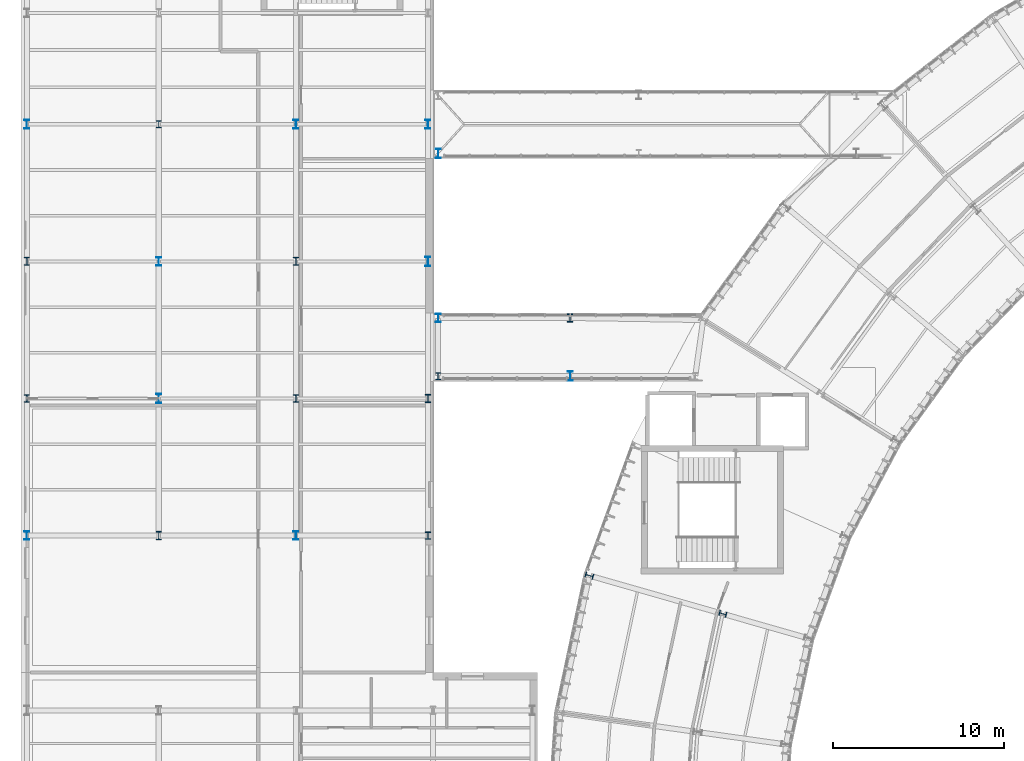
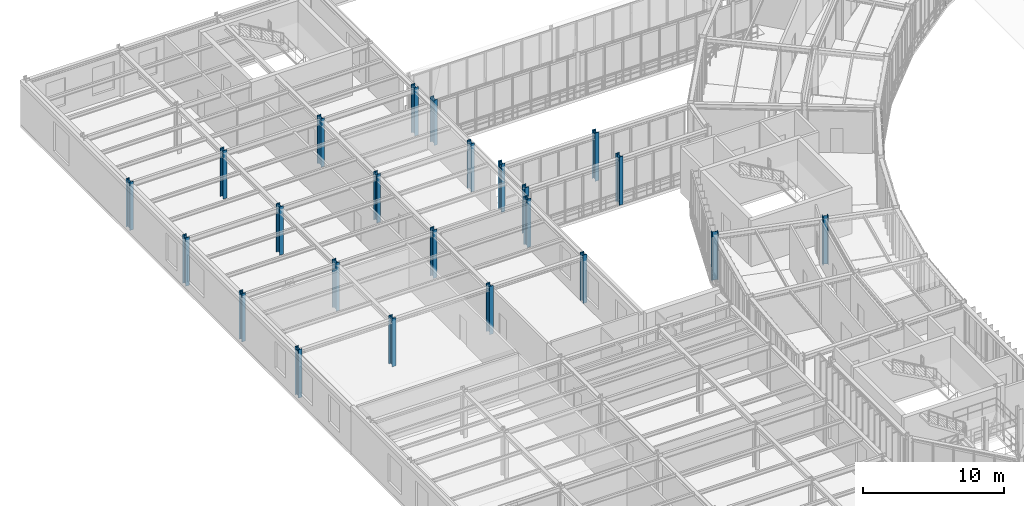
# One storey, part 2 of 57: 23 columns.
"""IFC4 building model written with IfcOpenShell, lengths in metres."""

from ifc_helpers import new_model, si_unit, direction, frame, origin, origin_2d, place, context, subcontext, project, spatial, i_section, extrude, material, material_profile, profile_set, type_object, element, save


model = new_model("IFC4")

# Units and contexts
model_context = context("Model", 3, precision=1e-05, world=origin(), true_north=direction((0.0, 1.0)))
body_context = subcontext(model_context, "Body", "Model", "MODEL_VIEW")
ifc_project = project(units=[si_unit("LENGTHUNIT", "METRE"), si_unit("AREAUNIT", "SQUARE_METRE"), si_unit("VOLUMEUNIT", "CUBIC_METRE"), si_unit("PLANEANGLEUNIT", "RADIAN"), si_unit("MASSUNIT", "GRAM", prefix="KILO"), si_unit("THERMODYNAMICTEMPERATUREUNIT", "KELVIN"), si_unit("POWERUNIT", "WATT")], contexts=[model_context])

# Site, building, storey
site_placement = place(None, origin())
site = spatial("IfcSite", under=ifc_project, at=site_placement, CompositionType="ELEMENT")
building_placement = place(site_placement, origin())
building = spatial("IfcBuilding", under=site, at=building_placement, Name="Solvatero Civic Police Headquarters", CompositionType="ELEMENT")
storey_placement = place(building_placement, frame((0.0, 0.0, 9.300048828125)))
storey = spatial("IfcBuildingStorey", under=building, at=storey_placement, Name="L02", CompositionType="ELEMENT", Elevation=9.300048828125)

# Columns
ifc_material = material(Name="Steel S355", Category="steel")
ifc_material_profile_1 = material_profile(ifc_material, i_section(OverallWidth=0.300048828125, OverallDepth=0.5, WebThickness=0.014404296875, FlangeThickness=0.028076171875, FilletRadius=0.027099609375, at=origin_2d()), Name="HEB 500")
ifc_profile_set_1 = profile_set([ifc_material_profile_1], Name="Steel S355")
column_type_1 = type_object("IfcColumnType", Name="COL-ST-HEB500", PredefinedType="COLUMN", material=ifc_profile_set_1)
for number, where, z_axis, x_axis, name in (
    (1, (28.800048828125, 57.199951171875, 0.0), (0.0, 0.0, 1.0), (1.0, 0.0, 0.0), "Column SB1-W-N L02"),
    (2, (4.800048828125, 44.5, 0.0), (0.0, 0.0, 1.0), (1.0, 0.0, 0.0), "Column V6-X1Y1 L02"),
    (3, (12.5, 60.5, 0.0), (0.0, 0.0, 1.0), (1.0, 0.0, 0.0), "Column V6-X2Y3 L02"),
    (4, (20.5, 44.5, 0.0), (0.0, 0.0, 1.0), (1.0, 0.0, 0.0), "Column V6-X3Y1 L02"),
    (5, (28.199951171875, 68.5, 0.0), (0.0, 0.0, 1.0), (1.0, 0.0, 0.0), "Column V6-X4Y4 L02"),
):
    element("IfcColumn", number, at=place(storey_placement, frame(where, z_axis=z_axis, x_axis=x_axis)), inside=storey, type_object=column_type_1, Name=name, PredefinedType="COLUMN", context=body_context, shape_type="SweptSolid", body=[
        extrude(i_section(OverallWidth=0.300048828125, OverallDepth=0.5, WebThickness=0.014404296875, FlangeThickness=0.028076171875, FilletRadius=0.027099609375, at=origin_2d()), origin(), (0.0, 0.0, 1.0), 4.199951171875),
    ])
ifc_material_profile_2 = material_profile(ifc_material, i_section(OverallWidth=0.300048828125, OverallDepth=0.550048828125, WebThickness=0.014892578125, FlangeThickness=0.029052734375, FilletRadius=0.027099609375, at=origin_2d()), Name="HEB 550")
ifc_profile_set_2 = profile_set([ifc_material_profile_2], Name="Steel S355")
column_type_2 = type_object("IfcColumnType", Name="COL-ST-HEB550", PredefinedType="COLUMN", material=ifc_profile_set_2)
column_1_placement = place(storey_placement, frame((36.5, 53.800048828125, 0.0), z_axis=(0.0, 0.0, 1.0), x_axis=(1.0, 0.0, 0.0)))
element("IfcColumn", 6, at=column_1_placement, inside=storey, type_object=column_type_2, Name="Column SB1-MID-S L02", PredefinedType="COLUMN", context=body_context, shape_type="SweptSolid", body=[
    extrude(i_section(OverallWidth=0.300048828125, OverallDepth=0.550048828125, WebThickness=0.014892578125, FlangeThickness=0.029052734375, FilletRadius=0.027099609375, at=origin_2d()), origin(), (0.0, 0.0, 1.0), 4.199951171875),
])
column_2_placement = place(storey_placement, frame((28.800048828125, 66.800048828125, 0.0), z_axis=(0.0, 0.0, 1.0), x_axis=(1.0, 0.0, 0.0)))
element("IfcColumn", 7, at=column_2_placement, inside=storey, type_object=column_type_2, Name="Column SB2-W-S L02", PredefinedType="COLUMN", context=body_context, shape_type="SweptSolid", body=[
    extrude(i_section(OverallWidth=0.300048828125, OverallDepth=0.550048828125, WebThickness=0.014892578125, FlangeThickness=0.029052734375, FilletRadius=0.027099609375, at=origin_2d()), origin(), (0.0, 0.0, 1.0), 3.93994140625),
])
for number, where, z_axis, x_axis, name in (
    (8, (4.800048828125, 68.5, 0.0), (0.0, 0.0, 1.0), (1.0, 0.0, 0.0), "Column V6-X1Y4 L02"),
    (9, (12.5, 52.5, 0.0), (0.0, 0.0, 1.0), (1.0, 0.0, 0.0), "Column V6-X2Y2 L02"),
    (10, (20.5, 68.5, 0.0), (0.0, 0.0, 1.0), (1.0, 0.0, 0.0), "Column V6-X3Y4 L02"),
    (11, (28.199951171875, 60.5, 0.0), (0.0, 0.0, 1.0), (1.0, 0.0, 0.0), "Column V6-X4Y3 L02"),
):
    element("IfcColumn", number, at=place(storey_placement, frame(where, z_axis=z_axis, x_axis=x_axis)), inside=storey, type_object=column_type_2, Name=name, PredefinedType="COLUMN", context=body_context, shape_type="SweptSolid", body=[
        extrude(i_section(OverallWidth=0.300048828125, OverallDepth=0.550048828125, WebThickness=0.014892578125, FlangeThickness=0.029052734375, FilletRadius=0.027099609375, at=origin_2d()), origin(), (0.0, 0.0, 1.0), 4.199951171875),
    ])
ifc_material_profile_3 = material_profile(ifc_material, i_section(OverallWidth=0.306884765625, OverallDepth=0.431884765625, WebThickness=0.02099609375, FlangeThickness=0.0400390625, FilletRadius=0.027099609375, at=origin_2d()), Name="HEM 400")
ifc_profile_set_3 = profile_set([ifc_material_profile_3], Name="Steel S355")
column_type_3 = type_object("IfcColumnType", Name="COL-ST-HEM400", PredefinedType="COLUMN", material=ifc_profile_set_3)
for number, where, z_axis, x_axis, name in (
    (12, (45.408203125, 39.93359375, 0.0), (0.0, 0.0, 1.0), (0.275637355817, 0.961261695938, 0.0), "Column ARC-S10-MID L02"),
    (13, (28.800048828125, 53.800048828125, 0.0), (0.0, 0.0, 1.0), (1.0, 0.0, 0.0), "Column SB1-W-S L02"),
    (14, (4.800048828125, 52.5, 0.0), (0.0, 0.0, 1.0), (1.0, 0.0, 0.0), "Column V6-X1Y2 L02"),
    (15, (12.5, 68.5, 0.0), (0.0, 0.0, 1.0), (1.0, 0.0, 0.0), "Column V6-X2Y4 L02"),
    (16, (20.5, 52.5, 0.0), (0.0, 0.0, 1.0), (1.0, 0.0, 0.0), "Column V6-X3Y2 L02"),
    (17, (28.199951171875, 44.5, 0.0), (0.0, 0.0, 1.0), (1.0, 0.0, 0.0), "Column V6-X4Y1 L02"),
):
    element("IfcColumn", number, at=place(storey_placement, frame(where, z_axis=z_axis, x_axis=x_axis)), inside=storey, type_object=column_type_3, Name=name, PredefinedType="COLUMN", context=body_context, shape_type="SweptSolid", body=[
        extrude(i_section(OverallWidth=0.306884765625, OverallDepth=0.431884765625, WebThickness=0.02099609375, FlangeThickness=0.0400390625, FilletRadius=0.027099609375, at=origin_2d()), origin(), (0.0, 0.0, 1.0), 4.199951171875),
    ])
ifc_material_profile_4 = material_profile(ifc_material, i_section(OverallWidth=0.306884765625, OverallDepth=0.47802734375, WebThickness=0.02099609375, FlangeThickness=0.0400390625, FilletRadius=0.027099609375, at=origin_2d()), Name="HEM 450")
ifc_profile_set_4 = profile_set([ifc_material_profile_4], Name="Steel S355")
column_type_4 = type_object("IfcColumnType", Name="COL-ST-HEM450", PredefinedType="COLUMN", material=ifc_profile_set_4)
for number, where, z_axis, x_axis, name in (
    (18, (37.6220703125, 42.166015625, 0.0), (0.0, 0.0, 1.0), (0.275637355817, 0.961261695938, 0.0), "Column ARC-S10-OUT L02"),
    (19, (36.5, 57.199951171875, 0.0), (0.0, 0.0, 1.0), (1.0, 0.0, 0.0), "Column SB1-MID-N L02"),
    (20, (4.800048828125, 60.5, 0.0), (0.0, 0.0, 1.0), (1.0, 0.0, 0.0), "Column V6-X1Y3 L02"),
    (21, (12.5, 44.5, 0.0), (0.0, 0.0, 1.0), (1.0, 0.0, 0.0), "Column V6-X2Y1 L02"),
    (22, (20.5, 60.5, 0.0), (0.0, 0.0, 1.0), (1.0, 0.0, 0.0), "Column V6-X3Y3 L02"),
    (23, (28.199951171875, 52.5, 0.0), (0.0, 0.0, 1.0), (1.0, 0.0, 0.0), "Column V6-X4Y2 L02"),
):
    element("IfcColumn", number, at=place(storey_placement, frame(where, z_axis=z_axis, x_axis=x_axis)), inside=storey, type_object=column_type_4, Name=name, PredefinedType="COLUMN", context=body_context, shape_type="SweptSolid", body=[
        extrude(i_section(OverallWidth=0.306884765625, OverallDepth=0.47802734375, WebThickness=0.02099609375, FlangeThickness=0.0400390625, FilletRadius=0.027099609375, at=origin_2d()), origin(), (0.0, 0.0, 1.0), 4.199951171875),
    ])

save(model, "model.ifc")
